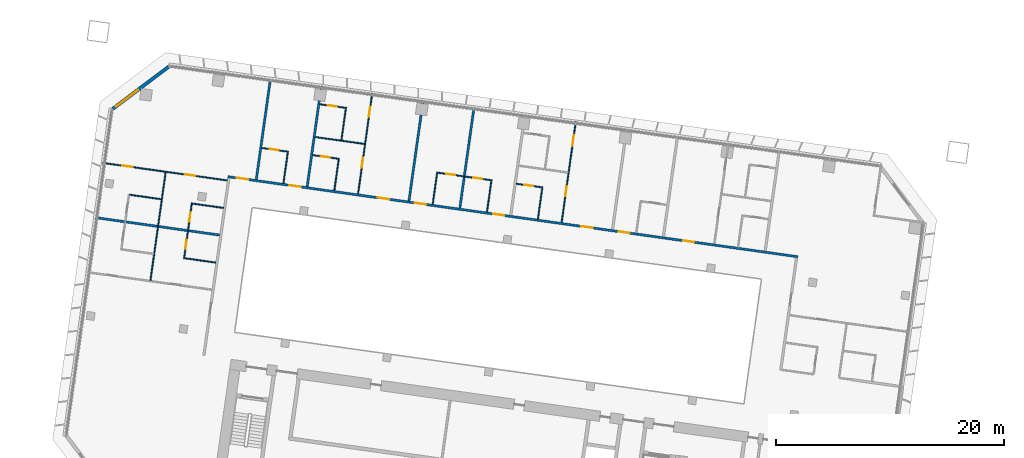
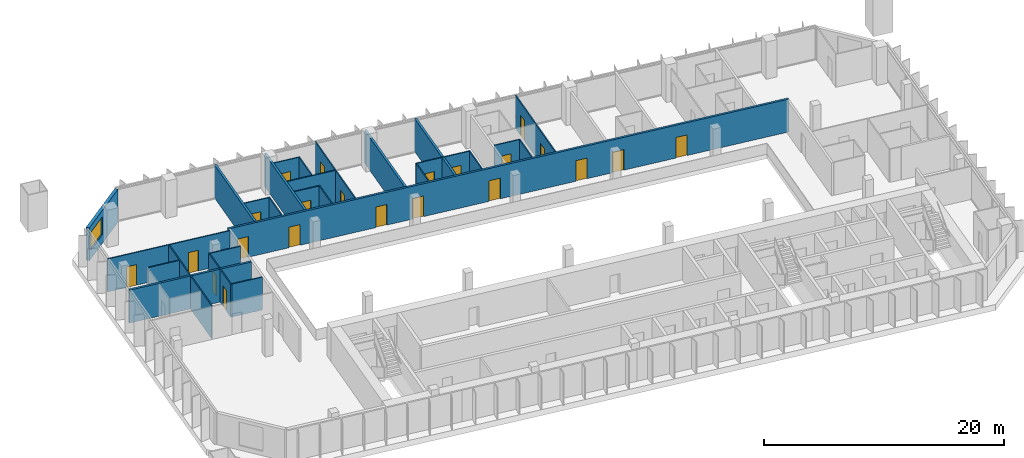
# One storey, part 16 of 25: 27 walls, 22 doors, 1 window, 23 openings.
"""IFC4 building model written with IfcOpenShell, lengths in metres."""

from ifc_helpers import new_model, si_unit, direction, frame, frame_2d, origin, place, context, subcontext, project, spatial, rectangle, extrude, material, layer, layer_set, type_object, element, fill, save


model = new_model("IFC4")

# Units and contexts
model_context = context("Model", 3, precision=1e-05, world=origin(), true_north=direction((0.0, 1.0)))
body_context = subcontext(model_context, "Body", "Model", "MODEL_VIEW")
ifc_project = project(units=[si_unit("LENGTHUNIT", "METRE"), si_unit("AREAUNIT", "SQUARE_METRE"), si_unit("VOLUMEUNIT", "CUBIC_METRE"), si_unit("PLANEANGLEUNIT", "RADIAN"), si_unit("MASSUNIT", "GRAM", prefix="KILO")], contexts=[model_context])

# Site, building, storey
site_placement = place(None, origin())
site = spatial("IfcSite", under=ifc_project, at=site_placement, CompositionType="ELEMENT")
building_placement = place(site_placement, origin())
building = spatial("IfcBuilding", under=site, at=building_placement, Name="Mirante Cascada Hotel Towers", CompositionType="ELEMENT")
storey_placement = place(building_placement, frame((0.0, 0.0, 58.5)))
storey = spatial("IfcBuildingStorey", under=building, at=storey_placement, Name="L11", CompositionType="ELEMENT", Elevation=58.5)

# Wall
ifc_material_1 = material(Name="Fire-rated plasterboard on metal studs")
ifc_layer_1 = layer(ifc_material_1, 0.2)
ifc_layer_set_1 = layer_set([ifc_layer_1], Name="Compartment wall 200 EI 120")
wall_type_1 = type_object("IfcWallType", Name="Compartment wall 200 EI 120", PredefinedType="PARTITIONING", material=ifc_layer_set_1)
wall_1_placement = place(storey_placement, frame((-100.6266, 12.8067, 0.0), z_axis=(0.0, 0.0, 1.0), x_axis=(0.990268, -0.1391733, 0.0)))
element("IfcWall", 1, at=wall_1_placement, inside=storey, type_object=wall_type_1, Name="Wall 1-L11-13", PredefinedType="PARTITIONING", context=body_context, shape_type="SweptSolid", body=[
    extrude(rectangle(XDim=11.0, YDim=0.2, at=frame_2d((5.5, 0.0))), origin(), (0.0, 0.0, 1.0), 3.35),
])

# Wall, openings, doors
wall_2_placement = place(storey_placement, frame((-89.0146, 16.3922, 0.0), z_axis=(0.0, 0.0, 1.0), x_axis=(0.9902681, -0.1391727, 0.0)))
wall_2 = element("IfcWall", 2, at=wall_2_placement, inside=storey, type_object=wall_type_1, Name="Wall 1-L11-17", PredefinedType="PARTITIONING", context=body_context, shape_type="SweptSolid", body=[
    extrude(rectangle(XDim=50.4, YDim=0.2, at=frame_2d((25.2, 0.0))), origin(), (0.0, 0.0, 1.0), 3.35),
])
opening_1_placement = place(wall_2_placement, frame((40.25, 0.0, 0.0)))
opening_1 = element("IfcOpeningElement", 3, at=opening_1_placement, cuts=wall_2, Name="Opening D1-L11-08", PredefinedType="OPENING", context=body_context, shape_type="SweptSolid", body=[
    extrude(rectangle(XDim=1.0, YDim=2.1, at=frame_2d((0.5, 1.05))), frame((0.0, 0.1, 0.0), z_axis=(0.0, -1.0, 0.0), x_axis=(1.0, 0.0, 0.0)), (0.0, 0.0, 1.0), 0.2),
])
opening_2_placement = place(wall_2_placement, frame((34.55, 0.0, 0.0)))
opening_2 = element("IfcOpeningElement", 4, at=opening_2_placement, cuts=wall_2, Name="Opening D1-L11-09", PredefinedType="OPENING", context=body_context, shape_type="SweptSolid", body=[
    extrude(rectangle(XDim=1.0, YDim=2.1, at=frame_2d((0.5, 1.05))), frame((0.0, 0.1, 0.0), z_axis=(0.0, -1.0, 0.0), x_axis=(1.0, 0.0, 0.0)), (0.0, 0.0, 1.0), 0.2),
])
opening_3_placement = place(wall_2_placement, frame((31.25, 0.0, 0.0)))
opening_3 = element("IfcOpeningElement", 5, at=opening_3_placement, cuts=wall_2, Name="Opening D1-L11-10", PredefinedType="OPENING", context=body_context, shape_type="SweptSolid", body=[
    extrude(rectangle(XDim=1.0, YDim=2.1, at=frame_2d((0.5, 1.05))), frame((0.0, 0.1, 0.0), z_axis=(0.0, -1.0, 0.0), x_axis=(1.0, 0.0, 0.0)), (0.0, 0.0, 1.0), 0.2),
])
opening_4_placement = place(wall_2_placement, frame((23.45, 0.0, 0.0)))
opening_4 = element("IfcOpeningElement", 6, at=opening_4_placement, cuts=wall_2, Name="Opening D1-L11-11", PredefinedType="OPENING", context=body_context, shape_type="SweptSolid", body=[
    extrude(rectangle(XDim=1.0, YDim=2.1, at=frame_2d((0.5, 1.05))), frame((0.0, 0.1, 0.0), z_axis=(0.0, -1.0, 0.0), x_axis=(1.0, 0.0, 0.0)), (0.0, 0.0, 1.0), 0.2),
])
opening_5_placement = place(wall_2_placement, frame((16.55, 0.0, 0.0)))
opening_5 = element("IfcOpeningElement", 7, at=opening_5_placement, cuts=wall_2, Name="Opening D1-L11-12", PredefinedType="OPENING", context=body_context, shape_type="SweptSolid", body=[
    extrude(rectangle(XDim=1.0, YDim=2.1, at=frame_2d((0.5, 1.05))), frame((0.0, 0.1, 0.0), z_axis=(0.0, -1.0, 0.0), x_axis=(1.0, 0.0, 0.0)), (0.0, 0.0, 1.0), 0.2),
])
opening_6_placement = place(wall_2_placement, frame((13.25, 0.0, 0.0)))
opening_6 = element("IfcOpeningElement", 8, at=opening_6_placement, cuts=wall_2, Name="Opening D1-L11-13", PredefinedType="OPENING", context=body_context, shape_type="SweptSolid", body=[
    extrude(rectangle(XDim=1.0, YDim=2.1, at=frame_2d((0.5, 1.05))), frame((0.0, 0.1, 0.0), z_axis=(0.0, -1.0, 0.0), x_axis=(1.0, 0.0, 0.0)), (0.0, 0.0, 1.0), 0.2),
])
opening_7_placement = place(wall_2_placement, frame((5.45, 0.0, 0.0)))
opening_7 = element("IfcOpeningElement", 9, at=opening_7_placement, cuts=wall_2, Name="Opening D1-L11-14", PredefinedType="OPENING", context=body_context, shape_type="SweptSolid", body=[
    extrude(rectangle(XDim=1.0, YDim=2.1, at=frame_2d((0.5, 1.05))), frame((0.0, 0.1, 0.0), z_axis=(0.0, -1.0, 0.0), x_axis=(1.0, 0.0, 0.0)), (0.0, 0.0, 1.0), 0.2),
])
opening_8_placement = place(wall_2_placement, frame((0.8, 0.0, 0.0)))
opening_8 = element("IfcOpeningElement", 10, at=opening_8_placement, cuts=wall_2, Name="Opening D1-L11-15", PredefinedType="OPENING", context=body_context, shape_type="SweptSolid", body=[
    extrude(rectangle(XDim=1.0, YDim=2.1, at=frame_2d((0.5, 1.05))), frame((0.0, 0.1, 0.0), z_axis=(0.0, -1.0, 0.0), x_axis=(1.0, 0.0, 0.0)), (0.0, 0.0, 1.0), 0.2),
])
ifc_material_2 = material(Name="Fire-rated timber door leaf", Category="wood")
door_type_1 = type_object("IfcDoorType", Name="Entrance door DG1 1000x2100 EI 60", OperationType="SINGLE_SWING_LEFT", PredefinedType="DOOR", material=ifc_material_2)
door_1_placement = place(opening_1_placement, origin())
door_1 = element("IfcDoor", 11, at=door_1_placement, inside=storey, type_object=door_type_1, Name="Door D1-L11-08", OperationType="SINGLE_SWING_LEFT", OverallHeight=2.1, OverallWidth=1.0, PredefinedType="DOOR", context=body_context, shape_type="SweptSolid", body=[
    extrude(rectangle(XDim=1.0, YDim=2.1, at=frame_2d((0.5, 1.05))), frame((0.0, 0.025, 0.0), z_axis=(0.0, -1.0, 0.0), x_axis=(1.0, 0.0, 0.0)), (0.0, 0.0, 1.0), 0.05),
])
fill(opening_1, door_1)
door_2_placement = place(opening_2_placement, origin())
door_2 = element("IfcDoor", 12, at=door_2_placement, inside=storey, type_object=door_type_1, Name="Door D1-L11-09", OperationType="SINGLE_SWING_LEFT", OverallHeight=2.1, OverallWidth=1.0, PredefinedType="DOOR", context=body_context, shape_type="SweptSolid", body=[
    extrude(rectangle(XDim=1.0, YDim=2.1, at=frame_2d((0.5, 1.05))), frame((0.0, 0.025, 0.0), z_axis=(0.0, -1.0, 0.0), x_axis=(1.0, 0.0, 0.0)), (0.0, 0.0, 1.0), 0.05),
])
fill(opening_2, door_2)
door_3_placement = place(opening_3_placement, origin())
door_3 = element("IfcDoor", 13, at=door_3_placement, inside=storey, type_object=door_type_1, Name="Door D1-L11-10", OperationType="SINGLE_SWING_LEFT", OverallHeight=2.1, OverallWidth=1.0, PredefinedType="DOOR", context=body_context, shape_type="SweptSolid", body=[
    extrude(rectangle(XDim=1.0, YDim=2.1, at=frame_2d((0.5, 1.05))), frame((0.0, 0.025, 0.0), z_axis=(0.0, -1.0, 0.0), x_axis=(1.0, 0.0, 0.0)), (0.0, 0.0, 1.0), 0.05),
])
fill(opening_3, door_3)
door_4_placement = place(opening_4_placement, origin())
door_4 = element("IfcDoor", 14, at=door_4_placement, inside=storey, type_object=door_type_1, Name="Door D1-L11-11", OperationType="SINGLE_SWING_LEFT", OverallHeight=2.1, OverallWidth=1.0, PredefinedType="DOOR", context=body_context, shape_type="SweptSolid", body=[
    extrude(rectangle(XDim=1.0, YDim=2.1, at=frame_2d((0.5, 1.05))), frame((0.0, 0.025, 0.0), z_axis=(0.0, -1.0, 0.0), x_axis=(1.0, 0.0, 0.0)), (0.0, 0.0, 1.0), 0.05),
])
fill(opening_4, door_4)
door_5_placement = place(opening_5_placement, origin())
door_5 = element("IfcDoor", 15, at=door_5_placement, inside=storey, type_object=door_type_1, Name="Door D1-L11-12", OperationType="SINGLE_SWING_LEFT", OverallHeight=2.1, OverallWidth=1.0, PredefinedType="DOOR", context=body_context, shape_type="SweptSolid", body=[
    extrude(rectangle(XDim=1.0, YDim=2.1, at=frame_2d((0.5, 1.05))), frame((0.0, 0.025, 0.0), z_axis=(0.0, -1.0, 0.0), x_axis=(1.0, 0.0, 0.0)), (0.0, 0.0, 1.0), 0.05),
])
fill(opening_5, door_5)
door_6_placement = place(opening_6_placement, origin())
door_6 = element("IfcDoor", 16, at=door_6_placement, inside=storey, type_object=door_type_1, Name="Door D1-L11-13", OperationType="SINGLE_SWING_LEFT", OverallHeight=2.1, OverallWidth=1.0, PredefinedType="DOOR", context=body_context, shape_type="SweptSolid", body=[
    extrude(rectangle(XDim=1.0, YDim=2.1, at=frame_2d((0.5, 1.05))), frame((0.0, 0.025, 0.0), z_axis=(0.0, -1.0, 0.0), x_axis=(1.0, 0.0, 0.0)), (0.0, 0.0, 1.0), 0.05),
])
fill(opening_6, door_6)
door_7_placement = place(opening_7_placement, origin())
door_7 = element("IfcDoor", 17, at=door_7_placement, inside=storey, type_object=door_type_1, Name="Door D1-L11-14", OperationType="SINGLE_SWING_LEFT", OverallHeight=2.1, OverallWidth=1.0, PredefinedType="DOOR", context=body_context, shape_type="SweptSolid", body=[
    extrude(rectangle(XDim=1.0, YDim=2.1, at=frame_2d((0.5, 1.05))), frame((0.0, 0.025, 0.0), z_axis=(0.0, -1.0, 0.0), x_axis=(1.0, 0.0, 0.0)), (0.0, 0.0, 1.0), 0.05),
])
fill(opening_7, door_7)
door_8_placement = place(opening_8_placement, origin())
door_8 = element("IfcDoor", 18, at=door_8_placement, inside=storey, type_object=door_type_1, Name="Door D1-L11-15", OperationType="SINGLE_SWING_LEFT", OverallHeight=2.1, OverallWidth=1.0, PredefinedType="DOOR", context=body_context, shape_type="SweptSolid", body=[
    extrude(rectangle(XDim=1.0, YDim=2.1, at=frame_2d((0.5, 1.05))), frame((0.0, 0.025, 0.0), z_axis=(0.0, -1.0, 0.0), x_axis=(1.0, 0.0, 0.0)), (0.0, 0.0, 1.0), 0.05),
])
fill(opening_8, door_8)

# Walls
for number, where, z_axis, x_axis, name in (
    (19, (-68.7002, 13.6382, 0.0), (0.0, 0.0, 1.0), (0.1391684, 0.9902687, 0.0), "Wall 1-L11-50"),
    (20, (-73.1564, 14.2645, 0.0), (0.0, 0.0, 1.0), (0.1391684, 0.9902687, 0.0), "Wall 1-L11-52"),
):
    element("IfcWall", number, at=place(storey_placement, frame(where, z_axis=z_axis, x_axis=x_axis)), inside=storey, type_object=wall_type_1, Name=name, PredefinedType="PARTITIONING", context=body_context, shape_type="SweptSolid", body=[
        extrude(rectangle(XDim=8.9, YDim=0.2, at=frame_2d((4.45, 0.0))), origin(), (0.0, 0.0, 1.0), 3.35),
    ])
wall_3_placement = place(storey_placement, frame((-82.0688, 15.5171, 0.0), z_axis=(0.0, 0.0, 1.0), x_axis=(0.13917, 0.9902685, 0.0)))
element("IfcWall", 21, at=wall_3_placement, inside=storey, type_object=wall_type_1, Name="Wall 1-L11-56", PredefinedType="PARTITIONING", context=body_context, shape_type="SweptSolid", body=[
    extrude(rectangle(XDim=8.8999, YDim=0.2, at=frame_2d((4.45, 0.0))), origin(), (0.0, 0.0, 1.0), 3.35),
])
wall_4_placement = place(storey_placement, frame((-86.525, 16.1433, 0.0), z_axis=(0.0, 0.0, 1.0), x_axis=(0.1391684, 0.9902687, 0.0)))
element("IfcWall", 22, at=wall_4_placement, inside=storey, type_object=wall_type_1, Name="Wall 1-L11-58", PredefinedType="PARTITIONING", context=body_context, shape_type="SweptSolid", body=[
    extrude(rectangle(XDim=8.9, YDim=0.2, at=frame_2d((4.45, 0.0))), origin(), (0.0, 0.0, 1.0), 3.35),
])
ifc_material_3 = material(Name="Plasterboard on metal studs")
ifc_layer_2 = layer(ifc_material_3, 0.1)
ifc_layer_set_2 = layer_set([ifc_layer_2], Name="Partition 100")
wall_type_2 = type_object("IfcWallType", Name="Partition 100", PredefinedType="PARTITIONING", material=ifc_layer_set_2)
wall_5_placement = place(storey_placement, frame((-90.0723, 8.8662, 0.0), z_axis=(0.0, 0.0, 1.0), x_axis=(-0.9902698, 0.1391607, 0.0)))
element("IfcWall", 23, at=wall_5_placement, inside=storey, type_object=wall_type_2, Name="Wall 1-L11-10", PredefinedType="PARTITIONING", context=body_context, shape_type="SweptSolid", body=[
    extrude(rectangle(XDim=2.7501, YDim=0.1, at=frame_2d((1.3751, 0.0))), origin(), (0.0, 0.0, 1.0), 3.35),
])
wall_6_placement = place(storey_placement, frame((-89.3997, 13.6525, 0.0), z_axis=(0.0, 0.0, 1.0), x_axis=(-0.9902691, 0.1391657, 0.0)))
element("IfcWall", 24, at=wall_6_placement, inside=storey, type_object=wall_type_2, Name="Wall 1-L11-14", PredefinedType="PARTITIONING", context=body_context, shape_type="SweptSolid", body=[
    extrude(rectangle(XDim=2.75, YDim=0.1, at=frame_2d((1.375, 0.0))), origin(), (0.0, 0.0, 1.0), 3.35),
])
wall_7_placement = place(storey_placement, frame((-97.6189, 14.8076, 0.0), z_axis=(0.0, 0.0, 1.0), x_axis=(0.9902677, -0.139176, 0.0)))
element("IfcWall", 25, at=wall_7_placement, inside=storey, type_object=wall_type_2, Name="Wall 1-L11-15", PredefinedType="PARTITIONING", context=body_context, shape_type="SweptSolid", body=[
    extrude(rectangle(XDim=2.8001, YDim=0.1, at=frame_2d((1.4, 0.0))), origin(), (0.0, 0.0, 1.0), 3.35),
])

# Wall, openings, doors
wall_8_placement = place(storey_placement, frame((-89.061, 16.0622, 0.0), z_axis=(0.0, 0.0, 1.0), x_axis=(-0.9902682, 0.1391721, 0.0)))
wall_8 = element("IfcWall", 26, at=wall_8_placement, inside=storey, type_object=wall_type_2, Name="Wall 1-L11-16", PredefinedType="PARTITIONING", context=body_context, shape_type="SweptSolid", body=[
    extrude(rectangle(XDim=11.0001, YDim=0.1, at=frame_2d((5.5, 0.0))), origin(), (0.0, 0.0, 1.0), 3.35),
])
opening_9_placement = place(wall_8_placement, frame((2.825, 0.0, 0.0)))
opening_9 = element("IfcOpeningElement", 27, at=opening_9_placement, cuts=wall_8, Name="Opening D1-L11-06", PredefinedType="OPENING", context=body_context, shape_type="SweptSolid", body=[
    extrude(rectangle(XDim=0.9, YDim=2.1, at=frame_2d((0.45, 1.05))), frame((0.0, 0.05, 0.0), z_axis=(0.0, -1.0, 0.0), x_axis=(1.0, 0.0, 0.0)), (0.0, 0.0, 1.0), 0.1),
])
opening_10_placement = place(wall_8_placement, frame((8.375, 0.0, 0.0)))
opening_10 = element("IfcOpeningElement", 28, at=opening_10_placement, cuts=wall_8, Name="Opening D1-L11-07", PredefinedType="OPENING", context=body_context, shape_type="SweptSolid", body=[
    extrude(rectangle(XDim=0.9, YDim=2.1, at=frame_2d((0.45, 1.05))), frame((0.0, 0.05, 0.0), z_axis=(0.0, -1.0, 0.0), x_axis=(1.0, 0.0, 0.0)), (0.0, 0.0, 1.0), 0.1),
])
ifc_material_4 = material(Name="Timber door leaf", Category="wood")
door_type_2 = type_object("IfcDoorType", Name="Room door DG3 900x2100", OperationType="SINGLE_SWING_LEFT", PredefinedType="DOOR", material=ifc_material_4)
door_9_placement = place(opening_9_placement, frame((0.9, 0.0, 0.0), z_axis=(0.0, 0.0, 1.0), x_axis=(-1.0, 0.0, 0.0)))
door_9 = element("IfcDoor", 29, at=door_9_placement, inside=storey, type_object=door_type_2, Name="Door D1-L11-06", OperationType="SINGLE_SWING_RIGHT", OverallHeight=2.1, OverallWidth=0.9, PredefinedType="DOOR", context=body_context, shape_type="SweptSolid", body=[
    extrude(rectangle(XDim=0.9, YDim=2.1, at=frame_2d((0.45, 1.05))), frame((0.0, 0.025, 0.0), z_axis=(0.0, -1.0, 0.0), x_axis=(1.0, 0.0, 0.0)), (0.0, 0.0, 1.0), 0.05),
])
fill(opening_9, door_9)
door_10_placement = place(opening_10_placement, frame((0.9, 0.0, 0.0), z_axis=(0.0, 0.0, 1.0), x_axis=(-1.0, 0.0, 0.0)))
door_10 = element("IfcDoor", 30, at=door_10_placement, inside=storey, type_object=door_type_2, Name="Door D1-L11-07", OperationType="SINGLE_SWING_RIGHT", OverallHeight=2.1, OverallWidth=0.9, PredefinedType="DOOR", context=body_context, shape_type="SweptSolid", body=[
    extrude(rectangle(XDim=0.9, YDim=2.1, at=frame_2d((0.45, 1.05))), frame((0.0, 0.025, 0.0), z_axis=(0.0, -1.0, 0.0), x_axis=(1.0, 0.0, 0.0)), (0.0, 0.0, 1.0), 0.05),
])
fill(opening_10, door_10)

# Wall, opening, door
wall_9_placement = place(storey_placement, frame((-61.5272, 15.4576, 0.0), z_axis=(0.0, 0.0, 1.0), x_axis=(-0.9902643, 0.1391997, 0.0)))
wall_9 = element("IfcWall", 31, at=wall_9_placement, inside=storey, type_object=wall_type_2, Name="Wall 1-L11-20", PredefinedType="PARTITIONING", context=body_context, shape_type="SweptSolid", body=[
    extrude(rectangle(XDim=2.25, YDim=0.1, at=frame_2d((1.125, 0.0))), origin(), (0.0, 0.0, 1.0), 3.35),
])
opening_11_placement = place(wall_9_placement, frame((0.75, 0.0, 0.0)))
opening_11 = element("IfcOpeningElement", 32, at=opening_11_placement, cuts=wall_9, Name="Opening D1-L11-18", PredefinedType="OPENING", context=body_context, shape_type="SweptSolid", body=[
    extrude(rectangle(XDim=0.8, YDim=2.1, at=frame_2d((0.4, 1.05))), frame((0.0, 0.05, 0.0), z_axis=(0.0, -1.0, 0.0), x_axis=(1.0, 0.0, 0.0)), (0.0, 0.0, 1.0), 0.1),
])
ifc_material_5 = material(Name="Timber door leaf", Category="wood")
door_type_3 = type_object("IfcDoorType", Name="Bathroom door DG4 800x2100", OperationType="SINGLE_SWING_LEFT", PredefinedType="DOOR", material=ifc_material_5)
door_11_placement = place(opening_11_placement, origin())
door_11 = element("IfcDoor", 33, at=door_11_placement, inside=storey, type_object=door_type_3, Name="Door D1-L11-18", OperationType="SINGLE_SWING_LEFT", OverallHeight=2.1, OverallWidth=0.8, PredefinedType="DOOR", context=body_context, shape_type="SweptSolid", body=[
    extrude(rectangle(XDim=0.8, YDim=2.1, at=frame_2d((0.4, 1.05))), frame((0.0, 0.025, 0.0), z_axis=(0.0, -1.0, 0.0), x_axis=(1.0, 0.0, 0.0)), (0.0, 0.0, 1.0), 0.05),
])
fill(opening_11, door_11)

# Wall, openings, doors
wall_10_placement = place(storey_placement, frame((-70.7367, 16.7519, 0.0), z_axis=(0.0, 0.0, 1.0), x_axis=(0.9902694, -0.1391638, 0.0)))
wall_10 = element("IfcWall", 34, at=wall_10_placement, inside=storey, type_object=wall_type_2, Name="Wall 1-L11-21", PredefinedType="PARTITIONING", context=body_context, shape_type="SweptSolid", body=[
    extrude(rectangle(XDim=4.9, YDim=0.1, at=frame_2d((2.45, 0.0))), origin(), (0.0, 0.0, 1.0), 3.35),
])
opening_12_placement = place(wall_10_placement, frame((3.25, 0.0, 0.0)))
opening_12 = element("IfcOpeningElement", 35, at=opening_12_placement, cuts=wall_10, Name="Opening D1-L11-19", PredefinedType="OPENING", context=body_context, shape_type="SweptSolid", body=[
    extrude(rectangle(XDim=0.8, YDim=2.1, at=frame_2d((0.4, 1.05))), frame((0.0, 0.05, 0.0), z_axis=(0.0, -1.0, 0.0), x_axis=(1.0, 0.0, 0.0)), (0.0, 0.0, 1.0), 0.1),
])
opening_13_placement = place(wall_10_placement, frame((0.85, 0.0, 0.0)))
opening_13 = element("IfcOpeningElement", 36, at=opening_13_placement, cuts=wall_10, Name="Opening D1-L11-20", PredefinedType="OPENING", context=body_context, shape_type="SweptSolid", body=[
    extrude(rectangle(XDim=0.8, YDim=2.1, at=frame_2d((0.4, 1.05))), frame((0.0, 0.05, 0.0), z_axis=(0.0, -1.0, 0.0), x_axis=(1.0, 0.0, 0.0)), (0.0, 0.0, 1.0), 0.1),
])
door_12_placement = place(opening_12_placement, origin())
door_12 = element("IfcDoor", 37, at=door_12_placement, inside=storey, type_object=door_type_3, Name="Door D1-L11-19", OperationType="SINGLE_SWING_LEFT", OverallHeight=2.1, OverallWidth=0.8, PredefinedType="DOOR", context=body_context, shape_type="SweptSolid", body=[
    extrude(rectangle(XDim=0.8, YDim=2.1, at=frame_2d((0.4, 1.05))), frame((0.0, 0.025, 0.0), z_axis=(0.0, -1.0, 0.0), x_axis=(1.0, 0.0, 0.0)), (0.0, 0.0, 1.0), 0.05),
])
fill(opening_12, door_12)
door_13_placement = place(opening_13_placement, origin())
door_13 = element("IfcDoor", 38, at=door_13_placement, inside=storey, type_object=door_type_3, Name="Door D1-L11-20", OperationType="SINGLE_SWING_LEFT", OverallHeight=2.1, OverallWidth=0.8, PredefinedType="DOOR", context=body_context, shape_type="SweptSolid", body=[
    extrude(rectangle(XDim=0.8, YDim=2.1, at=frame_2d((0.4, 1.05))), frame((0.0, 0.025, 0.0), z_axis=(0.0, -1.0, 0.0), x_axis=(1.0, 0.0, 0.0)), (0.0, 0.0, 1.0), 0.05),
])
fill(opening_13, door_13)

# Wall, opening, door
wall_11_placement = place(storey_placement, frame((-79.352, 17.9627, 0.0), z_axis=(0.0, 0.0, 1.0), x_axis=(-0.9902643, 0.1391997, 0.0)))
wall_11 = element("IfcWall", 39, at=wall_11_placement, inside=storey, type_object=wall_type_2, Name="Wall 1-L11-22", PredefinedType="PARTITIONING", context=body_context, shape_type="SweptSolid", body=[
    extrude(rectangle(XDim=2.25, YDim=0.1, at=frame_2d((1.125, 0.0))), origin(), (0.0, 0.0, 1.0), 3.35),
])
opening_14_placement = place(wall_11_placement, frame((0.75, 0.0, 0.0)))
opening_14 = element("IfcOpeningElement", 40, at=opening_14_placement, cuts=wall_11, Name="Opening D1-L11-21", PredefinedType="OPENING", context=body_context, shape_type="SweptSolid", body=[
    extrude(rectangle(XDim=0.8, YDim=2.1, at=frame_2d((0.4, 1.05))), frame((0.0, 0.05, 0.0), z_axis=(0.0, -1.0, 0.0), x_axis=(1.0, 0.0, 0.0)), (0.0, 0.0, 1.0), 0.1),
])
door_14_placement = place(opening_14_placement, origin())
door_14 = element("IfcDoor", 41, at=door_14_placement, inside=storey, type_object=door_type_3, Name="Door D1-L11-21", OperationType="SINGLE_SWING_LEFT", OverallHeight=2.1, OverallWidth=0.8, PredefinedType="DOOR", context=body_context, shape_type="SweptSolid", body=[
    extrude(rectangle(XDim=0.8, YDim=2.1, at=frame_2d((0.4, 1.05))), frame((0.0, 0.025, 0.0), z_axis=(0.0, -1.0, 0.0), x_axis=(1.0, 0.0, 0.0)), (0.0, 0.0, 1.0), 0.05),
])
fill(opening_14, door_14)

wall_12_placement = place(storey_placement, frame((-86.0363, 18.9022, 0.0), z_axis=(0.0, 0.0, 1.0), x_axis=(0.9902643, -0.1391997, 0.0)))
wall_12 = element("IfcWall", 42, at=wall_12_placement, inside=storey, type_object=wall_type_2, Name="Wall 1-L11-23", PredefinedType="PARTITIONING", context=body_context, shape_type="SweptSolid", body=[
    extrude(rectangle(XDim=2.25, YDim=0.1, at=frame_2d((1.125, 0.0))), origin(), (0.0, 0.0, 1.0), 3.35),
])
opening_15_placement = place(wall_12_placement, frame((0.7, 0.0, 0.0)))
opening_15 = element("IfcOpeningElement", 43, at=opening_15_placement, cuts=wall_12, Name="Opening D1-L11-22", PredefinedType="OPENING", context=body_context, shape_type="SweptSolid", body=[
    extrude(rectangle(XDim=0.8, YDim=2.1, at=frame_2d((0.4, 1.05))), frame((0.0, 0.05, 0.0), z_axis=(0.0, -1.0, 0.0), x_axis=(1.0, 0.0, 0.0)), (0.0, 0.0, 1.0), 0.1),
])
door_15_placement = place(opening_15_placement, origin())
door_15 = element("IfcDoor", 44, at=door_15_placement, inside=storey, type_object=door_type_3, Name="Door D1-L11-22", OperationType="SINGLE_SWING_LEFT", OverallHeight=2.1, OverallWidth=0.8, PredefinedType="DOOR", context=body_context, shape_type="SweptSolid", body=[
    extrude(rectangle(XDim=0.8, YDim=2.1, at=frame_2d((0.4, 1.05))), frame((0.0, 0.025, 0.0), z_axis=(0.0, -1.0, 0.0), x_axis=(1.0, 0.0, 0.0)), (0.0, 0.0, 1.0), 0.05),
])
fill(opening_15, door_15)

# Wall
wall_13_placement = place(storey_placement, frame((-81.3574, 19.8603, 0.0), z_axis=(0.0, 0.0, 1.0), x_axis=(0.9902679, -0.1391745, 0.0)))
element("IfcWall", 45, at=wall_13_placement, inside=storey, type_object=wall_type_2, Name="Wall 1-L11-27", PredefinedType="PARTITIONING", context=body_context, shape_type="SweptSolid", body=[
    extrude(rectangle(XDim=4.3499, YDim=0.1, at=frame_2d((2.175, 0.0))), origin(), (0.0, 0.0, 1.0), 3.35),
])

# Wall, opening, door
wall_14_placement = place(storey_placement, frame((-78.7257, 22.419, 0.0), z_axis=(0.0, 0.0, 1.0), x_axis=(-0.9902705, 0.1391561, 0.0)))
wall_14 = element("IfcWall", 46, at=wall_14_placement, inside=storey, type_object=wall_type_2, Name="Wall 1-L11-30", PredefinedType="PARTITIONING", context=body_context, shape_type="SweptSolid", body=[
    extrude(rectangle(XDim=2.25, YDim=0.1, at=frame_2d((1.125, 0.0))), origin(), (0.0, 0.0, 1.0), 3.35),
])
opening_16_placement = place(wall_14_placement, frame((0.75, 0.0, 0.0)))
opening_16 = element("IfcOpeningElement", 47, at=opening_16_placement, cuts=wall_14, Name="Opening D1-L11-25", PredefinedType="OPENING", context=body_context, shape_type="SweptSolid", body=[
    extrude(rectangle(XDim=0.8, YDim=2.1, at=frame_2d((0.4, 1.05))), frame((0.0, 0.05, 0.0), z_axis=(0.0, -1.0, 0.0), x_axis=(1.0, 0.0, 0.0)), (0.0, 0.0, 1.0), 0.1),
])
door_16_placement = place(opening_16_placement, origin())
door_16 = element("IfcDoor", 48, at=door_16_placement, inside=storey, type_object=door_type_3, Name="Door D1-L11-25", OperationType="SINGLE_SWING_LEFT", OverallHeight=2.1, OverallWidth=0.8, PredefinedType="DOOR", context=body_context, shape_type="SweptSolid", body=[
    extrude(rectangle(XDim=0.8, YDim=2.1, at=frame_2d((0.4, 1.05))), frame((0.0, 0.025, 0.0), z_axis=(0.0, -1.0, 0.0), x_axis=(1.0, 0.0, 0.0)), (0.0, 0.0, 1.0), 0.05),
])
fill(opening_16, door_16)

# Wall, openings, doors
wall_15_placement = place(storey_placement, frame((-58.5492, 21.199, 0.0), z_axis=(0.0, 0.0, 1.0), x_axis=(-0.13917, -0.9902685, 0.0)))
wall_15 = element("IfcWall", 49, at=wall_15_placement, inside=storey, type_object=wall_type_2, Name="Wall 1-L11-45", PredefinedType="PARTITIONING", context=body_context, shape_type="SweptSolid", body=[
    extrude(rectangle(XDim=8.8999, YDim=0.1, at=frame_2d((4.45, 0.0))), origin(), (0.0, 0.0, 1.0), 3.35),
])
opening_17_placement = place(wall_15_placement, frame((5.7, 0.0, 0.0)))
opening_17 = element("IfcOpeningElement", 50, at=opening_17_placement, cuts=wall_15, Name="Opening D1-L11-34", PredefinedType="OPENING", context=body_context, shape_type="SweptSolid", body=[
    extrude(rectangle(XDim=0.9, YDim=2.1, at=frame_2d((0.45, 1.05))), frame((0.0, 0.05, 0.0), z_axis=(0.0, -1.0, 0.0), x_axis=(1.0, 0.0, 0.0)), (0.0, 0.0, 1.0), 0.1),
])
opening_18_placement = place(wall_15_placement, frame((1.2, 0.0, 0.0)))
opening_18 = element("IfcOpeningElement", 51, at=opening_18_placement, cuts=wall_15, Name="Opening D1-L11-35", PredefinedType="OPENING", context=body_context, shape_type="SweptSolid", body=[
    extrude(rectangle(XDim=0.9, YDim=2.1, at=frame_2d((0.45, 1.05))), frame((0.0, 0.05, 0.0), z_axis=(0.0, -1.0, 0.0), x_axis=(1.0, 0.0, 0.0)), (0.0, 0.0, 1.0), 0.1),
])
door_17_placement = place(opening_17_placement, origin())
door_17 = element("IfcDoor", 52, at=door_17_placement, inside=storey, type_object=door_type_2, Name="Door D1-L11-34", OperationType="SINGLE_SWING_LEFT", OverallHeight=2.1, OverallWidth=0.9, PredefinedType="DOOR", context=body_context, shape_type="SweptSolid", body=[
    extrude(rectangle(XDim=0.9, YDim=2.1, at=frame_2d((0.45, 1.05))), frame((0.0, 0.025, 0.0), z_axis=(0.0, -1.0, 0.0), x_axis=(1.0, 0.0, 0.0)), (0.0, 0.0, 1.0), 0.05),
])
fill(opening_17, door_17)
door_18_placement = place(opening_18_placement, origin())
door_18 = element("IfcDoor", 53, at=door_18_placement, inside=storey, type_object=door_type_2, Name="Door D1-L11-35", OperationType="SINGLE_SWING_LEFT", OverallHeight=2.1, OverallWidth=0.9, PredefinedType="DOOR", context=body_context, shape_type="SweptSolid", body=[
    extrude(rectangle(XDim=0.9, YDim=2.1, at=frame_2d((0.45, 1.05))), frame((0.0, 0.025, 0.0), z_axis=(0.0, -1.0, 0.0), x_axis=(1.0, 0.0, 0.0)), (0.0, 0.0, 1.0), 0.05),
])
fill(opening_18, door_18)

# Walls
wall_16_placement = place(storey_placement, frame((-61.8674, 12.6779, 0.0), z_axis=(0.0, 0.0, 1.0), x_axis=(0.1391909, 0.9902656, 0.0)))
element("IfcWall", 54, at=wall_16_placement, inside=storey, type_object=wall_type_2, Name="Wall 1-L11-46", PredefinedType="PARTITIONING", context=body_context, shape_type="SweptSolid", body=[
    extrude(rectangle(XDim=2.85, YDim=0.1, at=frame_2d((1.425, 0.0))), origin(), (0.0, 0.0, 1.0), 3.35),
])
wall_17_placement = place(storey_placement, frame((-65.9408, 16.0274, 0.0), z_axis=(0.0, 0.0, 1.0), x_axis=(-0.1392013, -0.9902641, 0.0)))
element("IfcWall", 55, at=wall_17_placement, inside=storey, type_object=wall_type_2, Name="Wall 1-L11-49", PredefinedType="PARTITIONING", context=body_context, shape_type="SweptSolid", body=[
    extrude(rectangle(XDim=2.75, YDim=0.1, at=frame_2d((1.375, 0.0))), origin(), (0.0, 0.0, 1.0), 3.35),
])
wall_18_placement = place(storey_placement, frame((-70.6941, 16.6955, 0.0), z_axis=(0.0, 0.0, 1.0), x_axis=(-0.1391963, -0.9902648, 0.0)))
element("IfcWall", 56, at=wall_18_placement, inside=storey, type_object=wall_type_2, Name="Wall 1-L11-51", PredefinedType="PARTITIONING", context=body_context, shape_type="SweptSolid", body=[
    extrude(rectangle(XDim=2.7501, YDim=0.1, at=frame_2d((1.3751, 0.0))), origin(), (0.0, 0.0, 1.0), 3.35),
])

# Wall, openings, doors
wall_19_placement = place(storey_placement, frame((-76.374, 23.7042, 0.0), z_axis=(0.0, 0.0, 1.0), x_axis=(-0.1391684, -0.9902687, 0.0)))
wall_19 = element("IfcWall", 57, at=wall_19_placement, inside=storey, type_object=wall_type_2, Name="Wall 1-L11-53", PredefinedType="PARTITIONING", context=body_context, shape_type="SweptSolid", body=[
    extrude(rectangle(XDim=8.9, YDim=0.1, at=frame_2d((4.45, 0.0))), origin(), (0.0, 0.0, 1.0), 3.35),
])
opening_19_placement = place(wall_19_placement, frame((5.7, 0.0, 0.0)))
opening_19 = element("IfcOpeningElement", 58, at=opening_19_placement, cuts=wall_19, Name="Opening D1-L11-36", PredefinedType="OPENING", context=body_context, shape_type="SweptSolid", body=[
    extrude(rectangle(XDim=0.9, YDim=2.1, at=frame_2d((0.45, 1.05))), frame((0.0, 0.05, 0.0), z_axis=(0.0, -1.0, 0.0), x_axis=(1.0, 0.0, 0.0)), (0.0, 0.0, 1.0), 0.1),
])
opening_20_placement = place(wall_19_placement, frame((1.2, 0.0, 0.0)))
opening_20 = element("IfcOpeningElement", 59, at=opening_20_placement, cuts=wall_19, Name="Opening D1-L11-37", PredefinedType="OPENING", context=body_context, shape_type="SweptSolid", body=[
    extrude(rectangle(XDim=0.9, YDim=2.1, at=frame_2d((0.45, 1.05))), frame((0.0, 0.05, 0.0), z_axis=(0.0, -1.0, 0.0), x_axis=(1.0, 0.0, 0.0)), (0.0, 0.0, 1.0), 0.1),
])
door_19_placement = place(opening_19_placement, origin())
door_19 = element("IfcDoor", 60, at=door_19_placement, inside=storey, type_object=door_type_2, Name="Door D1-L11-36", OperationType="SINGLE_SWING_LEFT", OverallHeight=2.1, OverallWidth=0.9, PredefinedType="DOOR", context=body_context, shape_type="SweptSolid", body=[
    extrude(rectangle(XDim=0.9, YDim=2.1, at=frame_2d((0.45, 1.05))), frame((0.0, 0.025, 0.0), z_axis=(0.0, -1.0, 0.0), x_axis=(1.0, 0.0, 0.0)), (0.0, 0.0, 1.0), 0.05),
])
fill(opening_19, door_19)
door_20_placement = place(opening_20_placement, origin())
door_20 = element("IfcDoor", 61, at=door_20_placement, inside=storey, type_object=door_type_2, Name="Door D1-L11-37", OperationType="SINGLE_SWING_LEFT", OverallHeight=2.1, OverallWidth=0.9, PredefinedType="DOOR", context=body_context, shape_type="SweptSolid", body=[
    extrude(rectangle(XDim=0.9, YDim=2.1, at=frame_2d((0.45, 1.05))), frame((0.0, 0.025, 0.0), z_axis=(0.0, -1.0, 0.0), x_axis=(1.0, 0.0, 0.0)), (0.0, 0.0, 1.0), 0.05),
])
fill(opening_20, door_20)

# Walls
wall_20_placement = place(storey_placement, frame((-79.6922, 15.183, 0.0), z_axis=(0.0, 0.0, 1.0), x_axis=(0.1391909, 0.9902656, 0.0)))
element("IfcWall", 62, at=wall_20_placement, inside=storey, type_object=wall_type_2, Name="Wall 1-L11-54", PredefinedType="PARTITIONING", context=body_context, shape_type="SweptSolid", body=[
    extrude(rectangle(XDim=2.85, YDim=0.1, at=frame_2d((1.425, 0.0))), origin(), (0.0, 0.0, 1.0), 3.35),
])
wall_21_placement = place(storey_placement, frame((-78.6693, 22.4615, 0.0), z_axis=(0.0, 0.0, 1.0), x_axis=(-0.1391714, -0.9902683, 0.0)))
element("IfcWall", 63, at=wall_21_placement, inside=storey, type_object=wall_type_2, Name="Wall 1-L11-55", PredefinedType="PARTITIONING", context=body_context, shape_type="SweptSolid", body=[
    extrude(rectangle(XDim=2.9, YDim=0.1, at=frame_2d((1.45, 0.0))), origin(), (0.0, 0.0, 1.0), 3.35),
])
wall_22_placement = place(storey_placement, frame((-83.7517, 18.6316, 0.0), z_axis=(0.0, 0.0, 1.0), x_axis=(-0.1391909, -0.9902656, 0.0)))
element("IfcWall", 64, at=wall_22_placement, inside=storey, type_object=wall_type_2, Name="Wall 1-L11-57", PredefinedType="PARTITIONING", context=body_context, shape_type="SweptSolid", body=[
    extrude(rectangle(XDim=2.85, YDim=0.1, at=frame_2d((1.425, 0.0))), origin(), (0.0, 0.0, 1.0), 3.35),
])

# Wall, openings, doors
wall_23_placement = place(storey_placement, frame((-92.852, 9.2064, 0.0), z_axis=(0.0, 0.0, 1.0), x_axis=(0.1391564, 0.9902704, 0.0)))
wall_23 = element("IfcWall", 65, at=wall_23_placement, inside=storey, type_object=wall_type_2, Name="Wall 1-L11-60", PredefinedType="PARTITIONING", context=body_context, shape_type="SweptSolid", body=[
    extrude(rectangle(XDim=4.9333, YDim=0.1, at=frame_2d((2.4666, 0.0))), origin(), (0.0, 0.0, 1.0), 3.35),
])
opening_21_placement = place(wall_23_placement, frame((0.8833, 0.0, 0.0)))
opening_21 = element("IfcOpeningElement", 66, at=opening_21_placement, cuts=wall_23, Name="Opening D1-L11-39", PredefinedType="OPENING", context=body_context, shape_type="SweptSolid", body=[
    extrude(rectangle(XDim=0.8, YDim=2.1, at=frame_2d((0.4, 1.05))), frame((0.0, 0.05, 0.0), z_axis=(0.0, -1.0, 0.0), x_axis=(1.0, 0.0, 0.0)), (0.0, 0.0, 1.0), 0.1),
])
opening_22_placement = place(wall_23_placement, frame((3.2833, 0.0, 0.0)))
opening_22 = element("IfcOpeningElement", 67, at=opening_22_placement, cuts=wall_23, Name="Opening D1-L11-40", PredefinedType="OPENING", context=body_context, shape_type="SweptSolid", body=[
    extrude(rectangle(XDim=0.8, YDim=2.1, at=frame_2d((0.4, 1.05))), frame((0.0, 0.05, 0.0), z_axis=(0.0, -1.0, 0.0), x_axis=(1.0, 0.0, 0.0)), (0.0, 0.0, 1.0), 0.1),
])
door_21_placement = place(opening_21_placement, origin())
door_21 = element("IfcDoor", 68, at=door_21_placement, inside=storey, type_object=door_type_3, Name="Door D1-L11-39", OperationType="SINGLE_SWING_LEFT", OverallHeight=2.1, OverallWidth=0.8, PredefinedType="DOOR", context=body_context, shape_type="SweptSolid", body=[
    extrude(rectangle(XDim=0.8, YDim=2.1, at=frame_2d((0.4, 1.05))), frame((0.0, 0.025, 0.0), z_axis=(0.0, -1.0, 0.0), x_axis=(1.0, 0.0, 0.0)), (0.0, 0.0, 1.0), 0.05),
])
fill(opening_21, door_21)
door_22_placement = place(opening_22_placement, frame((0.8, 0.0, 0.0), z_axis=(0.0, 0.0, 1.0), x_axis=(-1.0, 0.0, 0.0)))
door_22 = element("IfcDoor", 69, at=door_22_placement, inside=storey, type_object=door_type_3, Name="Door D1-L11-40", OperationType="SINGLE_SWING_RIGHT", OverallHeight=2.1, OverallWidth=0.8, PredefinedType="DOOR", context=body_context, shape_type="SweptSolid", body=[
    extrude(rectangle(XDim=0.8, YDim=2.1, at=frame_2d((0.4, 1.05))), frame((0.0, 0.025, 0.0), z_axis=(0.0, -1.0, 0.0), x_axis=(1.0, 0.0, 0.0)), (0.0, 0.0, 1.0), 0.05),
])
fill(opening_22, door_22)

# Wall
wall_24_placement = place(storey_placement, frame((-94.4649, 16.7712, 0.0), z_axis=(0.0, 0.0, 1.0), x_axis=(-0.1391805, -0.990267, 0.0)))
element("IfcWall", 70, at=wall_24_placement, inside=storey, type_object=wall_type_2, Name="Wall 1-L11-61", PredefinedType="PARTITIONING", context=body_context, shape_type="SweptSolid", body=[
    extrude(rectangle(XDim=9.5667, YDim=0.1, at=frame_2d((4.7834, 0.0))), origin(), (0.0, 0.0, 1.0), 3.35),
])

# Wall, opening, window
ifc_material_6 = material(Name="Precast concrete C40/50", Category="concrete")
ifc_layer_3 = layer(ifc_material_6, 0.3)
ifc_layer_set_3 = layer_set([ifc_layer_3], Name="Precast concrete C40/50 cladding wall 300")
wall_type_3 = type_object("IfcWallType", Name="Precast concrete C40/50 cladding wall 300", PredefinedType="STANDARD", material=ifc_layer_set_3)
wall_25_placement = place(storey_placement, frame((-99.0919, 22.3343, 0.0), z_axis=(0.0, 0.0, 1.0), x_axis=(0.7986362, 0.6018141, 0.0)))
wall_25 = element("IfcWall", 71, at=wall_25_placement, inside=storey, type_object=wall_type_3, Name="Corner cladding wall T1 L11 outer front", PredefinedType="STANDARD", context=body_context, shape_type="SweptSolid", body=[
    extrude(rectangle(XDim=6.1157, YDim=0.3, at=frame_2d((3.0578, 0.0))), origin(), (0.0, 0.0, 1.0), 3.35),
])
opening_23_placement = place(wall_25_placement, frame((0.35, 0.0, 0.9)))
opening_23 = element("IfcOpeningElement", 72, at=opening_23_placement, cuts=wall_25, Name="Opening W1-11-06", PredefinedType="OPENING", context=body_context, shape_type="SweptSolid", body=[
    extrude(rectangle(XDim=2.4, YDim=1.8, at=frame_2d((1.2, 0.9))), frame((0.0, 0.15, 0.0), z_axis=(0.0, -1.0, 0.0), x_axis=(1.0, 0.0, 0.0)), (0.0, 0.0, 1.0), 0.3),
])
ifc_material_7 = material(Name="Aluminium frame with clear double glazing", Category="aluminium")
window_type = type_object("IfcWindowType", Name="Punched window 2400x1800", PartitioningType="DOUBLE_PANEL_VERTICAL", PredefinedType="WINDOW", material=ifc_material_7)
window_placement = place(opening_23_placement, origin())
window = element("IfcWindow", 73, at=window_placement, inside=storey, type_object=window_type, Name="Window W1-11-06", OverallHeight=1.8, OverallWidth=2.4, PartitioningType="SINGLE_PANEL", PredefinedType="WINDOW", context=body_context, shape_type="SweptSolid", body=[
    extrude(rectangle(XDim=2.4, YDim=1.8, at=frame_2d((1.2, 0.9))), frame((0.0, 0.03, 0.0), z_axis=(0.0, -1.0, 0.0), x_axis=(1.0, 0.0, 0.0)), (0.0, 0.0, 1.0), 0.06),
])
fill(opening_23, window)

save(model, "model.ifc")
